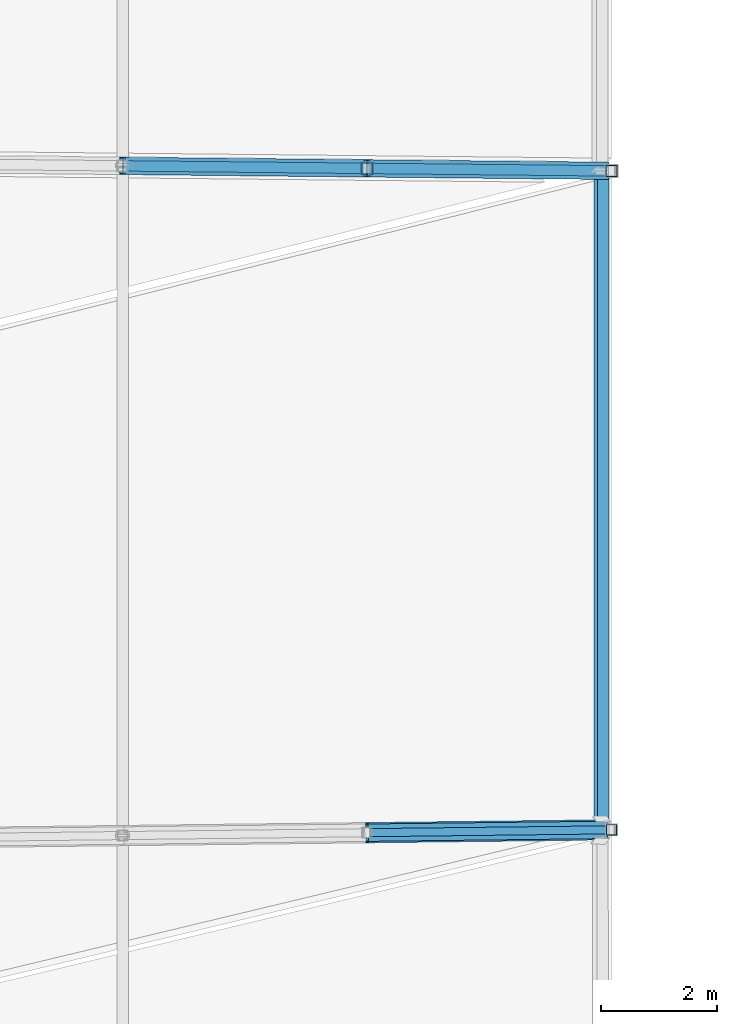
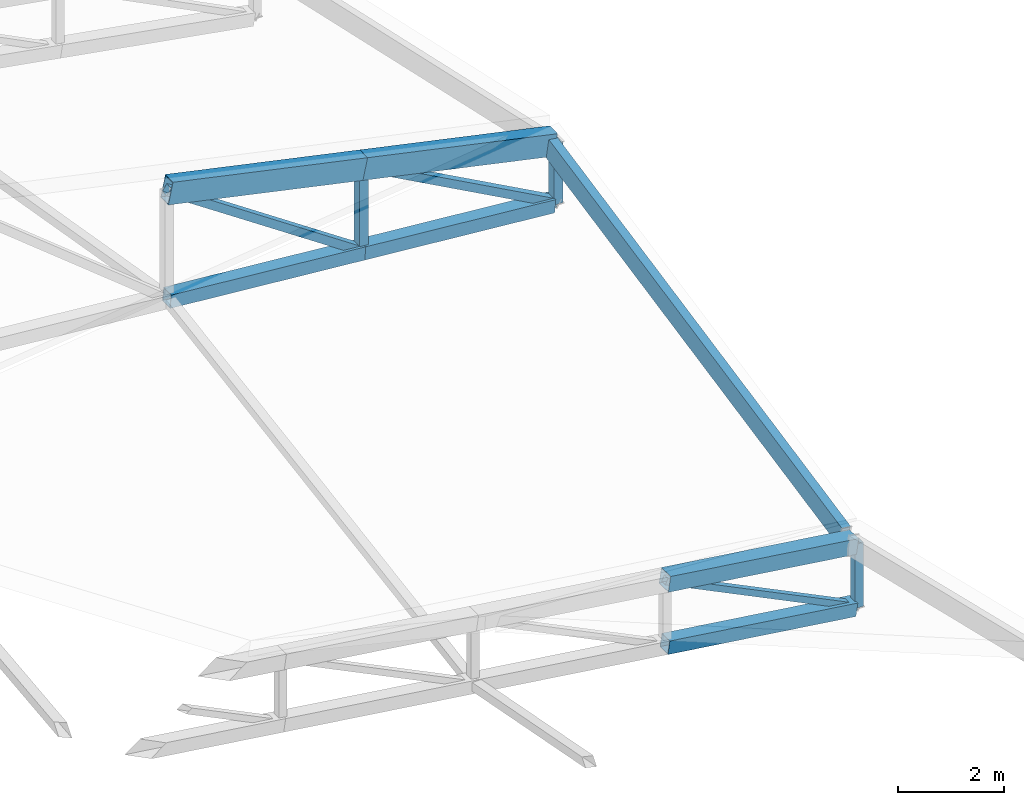
# One storey, part 64 of 344: 12 members, 1 beam.
"""IFC4 building model written with IfcOpenShell, lengths in metres."""

from ifc_helpers import new_model, si_unit, direction, frame, origin, origin_2d, place, context, subcontext, project, spatial, hollow_rectangle, extrude, material, material_profile, profile_set, type_object, element, save


model = new_model("IFC4")

# Units and contexts
model_context = context("Model", 3, precision=1e-05, world=origin(), true_north=direction((0.0, 1.0)))
body_context = subcontext(model_context, "Body", "Model", "MODEL_VIEW")
ifc_project = project(units=[si_unit("LENGTHUNIT", "METRE"), si_unit("AREAUNIT", "SQUARE_METRE"), si_unit("VOLUMEUNIT", "CUBIC_METRE"), si_unit("PLANEANGLEUNIT", "RADIAN"), si_unit("MASSUNIT", "GRAM", prefix="KILO")], contexts=[model_context])

# Site, building, storey
site_placement = place(None, origin())
site = spatial("IfcSite", under=ifc_project, at=site_placement, CompositionType="ELEMENT")
building_placement = place(site_placement, origin())
building = spatial("IfcBuilding", under=site, at=building_placement, Name="Meseta Stadium", CompositionType="ELEMENT")
storey_placement = place(building_placement, frame((0.0, 0.0, 24.0)))
storey = spatial("IfcBuildingStorey", under=building, at=storey_placement, Name="L04", CompositionType="ELEMENT", Elevation=24.0)

# Beam
ifc_material_1 = material(Name="Steel S355", Category="steel")
ifc_material_profile_1 = material_profile(ifc_material_1, hollow_rectangle(XDim=0.199951171875, YDim=0.39990234375, WallThickness=0.01611328125, at=origin_2d()), Name="RHS 400x200x16")
ifc_profile_set_1 = profile_set([ifc_material_profile_1], Name="Steel S355")
beam_type = type_object("IfcBeamType", Name="RHS 400x200x16 tip ring beam", PredefinedType="BEAM", material=ifc_profile_set_1)
beam_placement = place(storey_placement, frame((-47.170166015625, 5.6591796875, 5.1064453125), z_axis=(0.0, -0.979973133329, -0.19912975155), x_axis=(0.98970789741, 0.028495932083, -0.140236441982)))
element("IfcBeam", 1, at=beam_placement, inside=storey, type_object=beam_type, Name="TIP RING BEAM 33", PredefinedType="BEAM", context=body_context, shape_type="SweptSolid", body=[
    extrude(hollow_rectangle(XDim=0.199951171875, YDim=0.39990234375, WallThickness=0.01611328125, at=origin_2d()), origin(), (0.0, 0.0, 1.0), 11.385009765625),
])

# Members
ifc_material_2 = material(Name="Steel S355", Category="steel")
ifc_material_profile_2 = material_profile(ifc_material_2, hollow_rectangle(XDim=0.300048828125, YDim=0.5, WallThickness=0.01611328125, at=origin_2d()), Name="RHS 500x300x16")
ifc_profile_set_2 = profile_set([ifc_material_profile_2], Name="Steel S355")
member_type_1 = type_object("IfcMemberType", Name="RHS 500x300x16 top chord", PredefinedType="CHORD", material=ifc_profile_set_2)
member_1_placement = place(storey_placement, frame((-47.097412109375, 5.69189453125, 5.125), z_axis=(-0.978703620911, 0.010022833506, 0.20503357097), x_axis=(-0.01024039122, -0.999947565819, 0.0)))
element("IfcMember", 2, at=member_1_placement, inside=storey, type_object=member_type_1, Name="ROOF TRUSS RT-32 top chord", PredefinedType="CHORD", context=body_context, shape_type="SweptSolid", body=[
    extrude(hollow_rectangle(XDim=0.300048828125, YDim=0.5, WallThickness=0.01611328125, at=origin_2d()), origin(), (0.0, 0.0, 1.0), 4.214111328125),
])
member_2_placement = place(storey_placement, frame((-51.2216796875, 5.734130859375, 5.989013671875), z_axis=(-0.978712180089, 0.010074062803, 0.204990199288), x_axis=(-0.010292636977, -0.999947029409, 0.0)))
element("IfcMember", 3, at=member_2_placement, inside=storey, type_object=member_type_1, Name="ROOF TRUSS RT-32 top chord", PredefinedType="CHORD", context=body_context, shape_type="SweptSolid", body=[
    extrude(hollow_rectangle(XDim=0.300048828125, YDim=0.5, WallThickness=0.01611328125, at=origin_2d()), origin(), (0.0, 0.0, 1.0), 4.313720703125),
])
ifc_material_3 = material(Name="Steel S355", Category="steel")
ifc_material_profile_3 = material_profile(ifc_material_3, hollow_rectangle(XDim=0.139892578125, YDim=0.139892578125, WallThickness=0.0048828125, at=origin_2d()), Name="SHS 140x140x5")
ifc_profile_set_3 = profile_set([ifc_material_profile_3], Name="Steel S355")
member_type_2 = type_object("IfcMemberType", Name="SHS 140x140x5 diagonal", PredefinedType="BRACE", material=ifc_profile_set_3)
member_3_placement = place(storey_placement, frame((-46.999755859375, -5.690673828125, 1.284423828125), z_axis=(-0.896142468581, -0.010571506597, 0.443640529319), x_axis=(0.011795860001, -0.999930426423, 0.0)))
element("IfcMember", 4, at=member_3_placement, inside=storey, type_object=member_type_2, Name="ROOF TRUSS RT-33 diagonal", PredefinedType="BRACE", context=body_context, shape_type="SweptSolid", body=[
    extrude(hollow_rectangle(XDim=0.139892578125, YDim=0.139892578125, WallThickness=0.0048828125, at=origin_2d()), origin(), (0.0, 0.0, 1.0), 4.711181640625),
])
ifc_material_4 = material(Name="Steel S355", Category="steel")
ifc_material_profile_4 = material_profile(ifc_material_4, hollow_rectangle(XDim=0.179931640625, YDim=0.179931640625, WallThickness=0.00634765625, at=origin_2d()), Name="SHS 180x180x6.3")
ifc_profile_set_4 = profile_set([ifc_material_profile_4], Name="Steel S355")
member_type_3 = type_object("IfcMemberType", Name="SHS 180x180x6.3 diagonal", PredefinedType="BRACE", material=ifc_profile_set_4)
member_4_placement = place(storey_placement, frame((-46.999755859375, 5.690673828125, 3.704345703125), z_axis=(-0.879448436545, 0.009052323004, 0.475908082414), x_axis=(-0.010292636977, -0.999947029409, 0.0)))
element("IfcMember", 5, at=member_4_placement, inside=storey, type_object=member_type_3, Name="ROOF TRUSS RT-32 diagonal", PredefinedType="BRACE", context=body_context, shape_type="SweptSolid", body=[
    extrude(hollow_rectangle(XDim=0.179931640625, YDim=0.179931640625, WallThickness=0.00634765625, at=origin_2d()), origin(), (0.0, 0.0, 1.0), 4.800537109375),
])
member_5_placement = place(storey_placement, frame((-51.2216796875, 5.734130859375, 4.040771484375), z_axis=(-0.830391072896, 0.008547366621, 0.557115435595), x_axis=(-0.010292636977, -0.999947029409, 0.0)))
element("IfcMember", 6, at=member_5_placement, inside=storey, type_object=member_type_3, Name="ROOF TRUSS RT-32 diagonal", PredefinedType="BRACE", context=body_context, shape_type="SweptSolid", body=[
    extrude(hollow_rectangle(XDim=0.179931640625, YDim=0.179931640625, WallThickness=0.00634765625, at=origin_2d()), origin(), (0.0, 0.0, 1.0), 5.084228515625),
])
ifc_material_5 = material(Name="Steel S355", Category="steel")
ifc_material_profile_5 = material_profile(ifc_material_5, hollow_rectangle(XDim=0.179931640625, YDim=0.179931640625, WallThickness=0.00634765625, at=origin_2d()), Name="SHS 180x180x6.3")
ifc_profile_set_5 = profile_set([ifc_material_profile_5], Name="Steel S355")
member_type_4 = type_object("IfcMemberType", Name="SHS 180x180x6.3 rim post", PredefinedType="POST", material=ifc_profile_set_5)
member_6_placement = place(storey_placement, frame((-46.999755859375, -5.690673828125, 1.284423828125), z_axis=(0.0, 0.0, 1.0), x_axis=(1.0, 0.0, 0.0)))
element("IfcMember", 7, at=member_6_placement, inside=storey, type_object=member_type_4, Name="ROOF TRUSS RT-33 post", PredefinedType="POST", context=body_context, shape_type="SweptSolid", body=[
    extrude(hollow_rectangle(XDim=0.179931640625, YDim=0.179931640625, WallThickness=0.00634765625, at=origin_2d()), origin(), (0.0, 0.0, 1.0), 1.477294921875),
])
ifc_material_6 = material(Name="Steel S355", Category="steel")
ifc_material_profile_6 = material_profile(ifc_material_6, hollow_rectangle(XDim=0.199951171875, YDim=0.199951171875, WallThickness=0.008056640625, at=origin_2d()), Name="SHS 200x200x8")
ifc_profile_set_6 = profile_set([ifc_material_profile_6], Name="Steel S355")
member_type_5 = type_object("IfcMemberType", Name="SHS 200x200x8 post", PredefinedType="POST", material=ifc_profile_set_6)
member_7_placement = place(storey_placement, frame((-51.2216796875, 5.734130859375, 4.040771484375), z_axis=(0.0, 0.0, 1.0), x_axis=(1.0, 0.0, 0.0)))
element("IfcMember", 8, at=member_7_placement, inside=storey, type_object=member_type_5, Name="ROOF TRUSS RT-32 post", PredefinedType="POST", context=body_context, shape_type="SweptSolid", body=[
    extrude(hollow_rectangle(XDim=0.199951171875, YDim=0.199951171875, WallThickness=0.008056640625, at=origin_2d()), origin(), (0.0, 0.0, 1.0), 1.9482421875),
])
ifc_material_7 = material(Name="Steel S355", Category="steel")
ifc_material_profile_7 = material_profile(ifc_material_7, hollow_rectangle(XDim=0.199951171875, YDim=0.199951171875, WallThickness=0.008056640625, at=origin_2d()), Name="SHS 200x200x8")
ifc_profile_set_7 = profile_set([ifc_material_profile_7], Name="Steel S355")
member_type_6 = type_object("IfcMemberType", Name="SHS 200x200x8 rim post", PredefinedType="POST", material=ifc_profile_set_7)
member_8_placement = place(storey_placement, frame((-46.999755859375, 5.690673828125, 3.704345703125), z_axis=(0.0, 0.0, 1.0), x_axis=(1.0, 0.0, 0.0)))
element("IfcMember", 9, at=member_8_placement, inside=storey, type_object=member_type_6, Name="ROOF TRUSS RT-32 post", PredefinedType="POST", context=body_context, shape_type="SweptSolid", body=[
    extrude(hollow_rectangle(XDim=0.199951171875, YDim=0.199951171875, WallThickness=0.008056640625, at=origin_2d()), origin(), (0.0, 0.0, 1.0), 1.400146484375),
])
ifc_material_8 = material(Name="Steel S355", Category="steel")
ifc_material_profile_8 = material_profile(ifc_material_8, hollow_rectangle(XDim=0.300048828125, YDim=0.300048828125, WallThickness=0.010009765625, at=origin_2d()), Name="SHS 300x300x10")
ifc_profile_set_8 = profile_set([ifc_material_profile_8], Name="Steel S355")
member_type_7 = type_object("IfcMemberType", Name="SHS 300x300x10 bottom chord", PredefinedType="CHORD", material=ifc_profile_set_8)
member_9_placement = place(storey_placement, frame((-47.099365234375, 5.69189453125, 3.71240234375), z_axis=(-0.996790451205, 0.010212895947, 0.079400838429), x_axis=(-0.01024524254, -0.999947516125, 0.0)))
element("IfcMember", 10, at=member_9_placement, inside=storey, type_object=member_type_7, Name="ROOF TRUSS RT-32 bottom chord", PredefinedType="CHORD", context=body_context, shape_type="SweptSolid", body=[
    extrude(hollow_rectangle(XDim=0.300048828125, YDim=0.300048828125, WallThickness=0.010009765625, at=origin_2d()), origin(), (0.0, 0.0, 1.0), 4.135498046875),
])
member_10_placement = place(storey_placement, frame((-51.2216796875, 5.734130859375, 4.040771484375), z_axis=(-0.996787686968, 0.010260117289, 0.079429447328), x_axis=(-0.010292636977, -0.999947029409, 0.0)))
element("IfcMember", 11, at=member_10_placement, inside=storey, type_object=member_type_7, Name="ROOF TRUSS RT-32 bottom chord", PredefinedType="CHORD", context=body_context, shape_type="SweptSolid", body=[
    extrude(hollow_rectangle(XDim=0.300048828125, YDim=0.300048828125, WallThickness=0.010009765625, at=origin_2d()), origin(), (0.0, 0.0, 1.0), 4.235595703125),
])
member_11_placement = place(storey_placement, frame((-47.088623046875, -5.69189453125, 1.29736328125), z_axis=(-0.989564399546, -0.011632306427, 0.143620989408), x_axis=(0.011754164603, -0.999930917421, 0.0)))
element("IfcMember", 12, at=member_11_placement, inside=storey, type_object=member_type_7, Name="ROOF TRUSS RT-33 bottom chord", PredefinedType="CHORD", context=body_context, shape_type="SweptSolid", body=[
    extrude(hollow_rectangle(XDim=0.300048828125, YDim=0.300048828125, WallThickness=0.010009765625, at=origin_2d()), origin(), (0.0, 0.0, 1.0), 4.1767578125),
])
ifc_material_9 = material(Name="Steel S355", Category="steel")
ifc_material_profile_9 = material_profile(ifc_material_9, hollow_rectangle(XDim=0.35009765625, YDim=0.35009765625, WallThickness=0.010009765625, at=origin_2d()), Name="SHS 350x350x10")
ifc_profile_set_9 = profile_set([ifc_material_profile_9], Name="Steel S355")
member_type_8 = type_object("IfcMemberType", Name="SHS 350x350x10 top chord", PredefinedType="CHORD", material=ifc_profile_set_9)
member_12_placement = place(storey_placement, frame((-47.088623046875, -5.69189453125, 2.774658203125), z_axis=(-0.989564399546, -0.011632306427, 0.143620989408), x_axis=(0.011754164603, -0.999930917421, 0.0)))
element("IfcMember", 13, at=member_12_placement, inside=storey, type_object=member_type_8, Name="ROOF TRUSS RT-33 top chord", PredefinedType="CHORD", context=body_context, shape_type="SweptSolid", body=[
    extrude(hollow_rectangle(XDim=0.35009765625, YDim=0.35009765625, WallThickness=0.010009765625, at=origin_2d()), origin(), (0.0, 0.0, 1.0), 4.1767578125),
])

save(model, "model.ifc")
